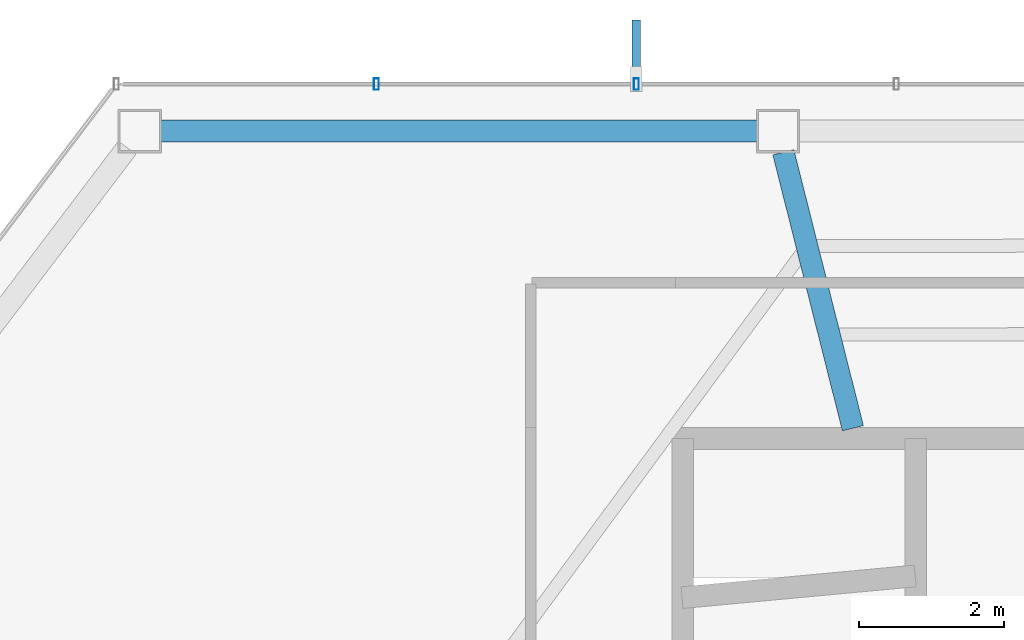
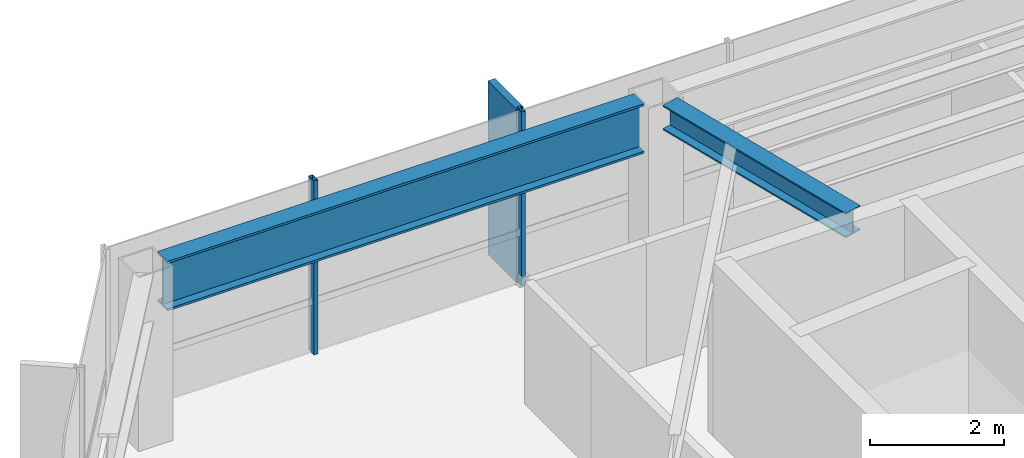
# One storey, part 13 of 28: 3 members, 2 beams, 1 element without a shape of its own.
"""IFC4 building model written with IfcOpenShell, lengths in metres."""

from ifc_helpers import new_model, si_unit, direction, frame, origin, origin_2d, place, context, subcontext, project, spatial, rectangle, hollow_rectangle, i_section, extrude, material, layer, layer_set, material_profile, profile_set, type_object, element, aggregate, save


model = new_model("IFC4")

# Units and contexts
model_context = context("Model", 3, precision=1e-05, world=origin(), true_north=direction((0.0, 1.0)))
body_context = subcontext(model_context, "Body", "Model", "MODEL_VIEW")
ifc_project = project(units=[si_unit("LENGTHUNIT", "METRE"), si_unit("AREAUNIT", "SQUARE_METRE"), si_unit("VOLUMEUNIT", "CUBIC_METRE"), si_unit("PLANEANGLEUNIT", "RADIAN"), si_unit("MASSUNIT", "GRAM", prefix="KILO")], contexts=[model_context])

# Site, building, storey
site_placement = place(None, origin())
site = spatial("IfcSite", under=ifc_project, at=site_placement, CompositionType="ELEMENT")
building_placement = place(site_placement, origin())
building = spatial("IfcBuilding", under=site, at=building_placement, Name="Zarrinselat Tower", CompositionType="ELEMENT")
storey_placement = place(building_placement, frame((0.0, 0.0, 218.9599609375)))
storey = spatial("IfcBuildingStorey", under=building, at=storey_placement, Name="L54", CompositionType="ELEMENT", Elevation=218.9599609375)

# Beams
ifc_material_1 = material(Name="Steel S355J2", Category="steel")
ifc_material_profile_1 = material_profile(ifc_material_1, i_section(OverallWidth=0.300048828125, OverallDepth=0.449951171875, WebThickness=0.013916015625, FlangeThickness=0.02587890625, at=origin_2d()), Name="HEB 450")
ifc_profile_set_1 = profile_set([ifc_material_profile_1], Name="Steel S355J2")
beam_type_1 = type_object("IfcBeamType", Name="BM-HEB450", PredefinedType="BEAM", material=ifc_profile_set_1)
beam_1_placement = place(storey_placement, frame((30.039306640625, 47.3515625, 2.955078125), z_axis=(0.244405803834, -0.969673039252, 0.0), x_axis=(0.969673039252, 0.244405803834, 0.0)))
element("IfcBeam", 1, at=beam_1_placement, inside=storey, type_object=beam_type_1, Name="L54 Radial Primary Girder RG04", PredefinedType="BEAM", context=body_context, shape_type="SweptSolid", body=[
    extrude(i_section(OverallWidth=0.300048828125, OverallDepth=0.449951171875, WebThickness=0.013916015625, FlangeThickness=0.02587890625, at=origin_2d()), origin(), (0.0, 0.0, 1.0), 3.9306640625),
])
ifc_material_2 = material(Name="Steel S460M", Category="steel")
ifc_material_profile_2 = material_profile(ifc_material_2, i_section(OverallWidth=0.302001953125, OverallDepth=0.909912109375, WebThickness=0.02099609375, FlangeThickness=0.0400390625, at=origin_2d()), Name="HEM 900")
ifc_profile_set_2 = profile_set([ifc_material_profile_2], Name="Steel S460M")
beam_type_2 = type_object("IfcBeamType", Name="BM-HEM900", PredefinedType="BEAM", material=ifc_profile_set_2)
beam_2_placement = place(storey_placement, frame((21.4365234375, 47.644287109375, 2.72509765625), z_axis=(1.0, 0.0, 0.0), x_axis=(0.0, 1.0, 0.0)))
element("IfcBeam", 2, at=beam_2_placement, inside=storey, type_object=beam_type_2, Name="L54 Perimeter Spandrel Girder SP04", PredefinedType="BEAM", context=body_context, shape_type="SweptSolid", body=[
    extrude(i_section(OverallWidth=0.302001953125, OverallDepth=0.909912109375, WebThickness=0.02099609375, FlangeThickness=0.0400390625, at=origin_2d()), origin(), (0.0, 0.0, 1.0), 8.240966796875),
])

# Curtain wall, members
ifc_material_3 = material(Name="Extruded Aluminium Alloy EN AW-6063 T6", Category="aluminium")
ifc_layer = layer(ifc_material_3, 0.169921875)
ifc_layer_set = layer_set([ifc_layer], Name="Extruded Aluminium Alloy EN AW-6063 T6")
curtain_wall_type = type_object("IfcCurtainWallType", Name="CWS-RES", PredefinedType="NOTDEFINED", material=ifc_layer_set)
curtain_wall_placement = place(storey_placement, origin())
curtain_wall = element("IfcCurtainWall", 3, at=curtain_wall_placement, inside=storey, type_object=curtain_wall_type, Name="L54 Unitised Curtain Wall CW-L54-E01", PredefinedType="NOTDEFINED")
ifc_material_4 = material(Name="Extruded Aluminium Alloy EN AW-6063 T6", Category="aluminium")
ifc_material_profile_3 = material_profile(ifc_material_4, hollow_rectangle(XDim=0.070068359375, YDim=0.159912109375, WallThickness=0.00390625, at=origin_2d()), Name="RHS 160x70x4")
ifc_profile_set_3 = profile_set([ifc_material_profile_3], Name="Extruded Aluminium Alloy EN AW-6063 T6")
member_type_1 = type_object("IfcMemberType", Name="MEM-CW-MUL2", PredefinedType="MULLION", material=ifc_profile_set_3)
member_1_placement = place(storey_placement, frame((28.00830078125, 48.29443359375, 0.0), z_axis=(0.0, 0.0, 1.0), x_axis=(-1.0, 0.0, 0.0)))
member_1 = element("IfcMember", 4, at=member_1_placement, type_object=member_type_1, Name="CW-L54-E01 Mullion 9", PredefinedType="MULLION", context=body_context, shape_type="SweptSolid", body=[
    extrude(hollow_rectangle(XDim=0.070068359375, YDim=0.159912109375, WallThickness=0.00390625, at=origin_2d()), origin(), (0.0, 0.0, 1.0), 3.179931640625),
])
member_2_placement = place(storey_placement, frame((24.4169921875, 48.29443359375, 0.0), z_axis=(0.0, 0.0, 1.0), x_axis=(-1.0, 0.0, 0.0)))
member_2 = element("IfcMember", 5, at=member_2_placement, type_object=member_type_1, Name="CW-L54-E01 Mullion 10", PredefinedType="MULLION", context=body_context, shape_type="SweptSolid", body=[
    extrude(hollow_rectangle(XDim=0.070068359375, YDim=0.159912109375, WallThickness=0.00390625, at=origin_2d()), origin(), (0.0, 0.0, 1.0), 3.179931640625),
])
ifc_material_5 = material(Name="Honed Cream Travertine Stone", Category="masonry")
ifc_material_profile_4 = material_profile(ifc_material_5, rectangle(XDim=0.1201171875, YDim=0.85009765625, at=origin_2d()), Name="FIN 850x120")
ifc_profile_set_4 = profile_set([ifc_material_profile_4], Name="Honed Cream Travertine Stone")
member_type_2 = type_object("IfcMemberType", Name="MEM-STONE-FIN", PredefinedType="USERDEFINED", material=ifc_profile_set_4)
member_3_placement = place(storey_placement, frame((28.00830078125, 48.75439453125, 0.0), z_axis=(0.0, 0.0, 1.0), x_axis=(1.0, 0.0, 0.0)))
member_3 = element("IfcMember", 6, at=member_3_placement, type_object=member_type_2, Name="L54 Stone Shading Fin CW-L54-E01-09", ObjectType="FIN", PredefinedType="USERDEFINED", context=body_context, shape_type="SweptSolid", body=[
    extrude(rectangle(XDim=0.1201171875, YDim=0.85009765625, at=origin_2d()), origin(), (0.0, 0.0, 1.0), 3.179931640625),
])
aggregate(curtain_wall, [member_1, member_3, member_2])

save(model, "model.ifc")
